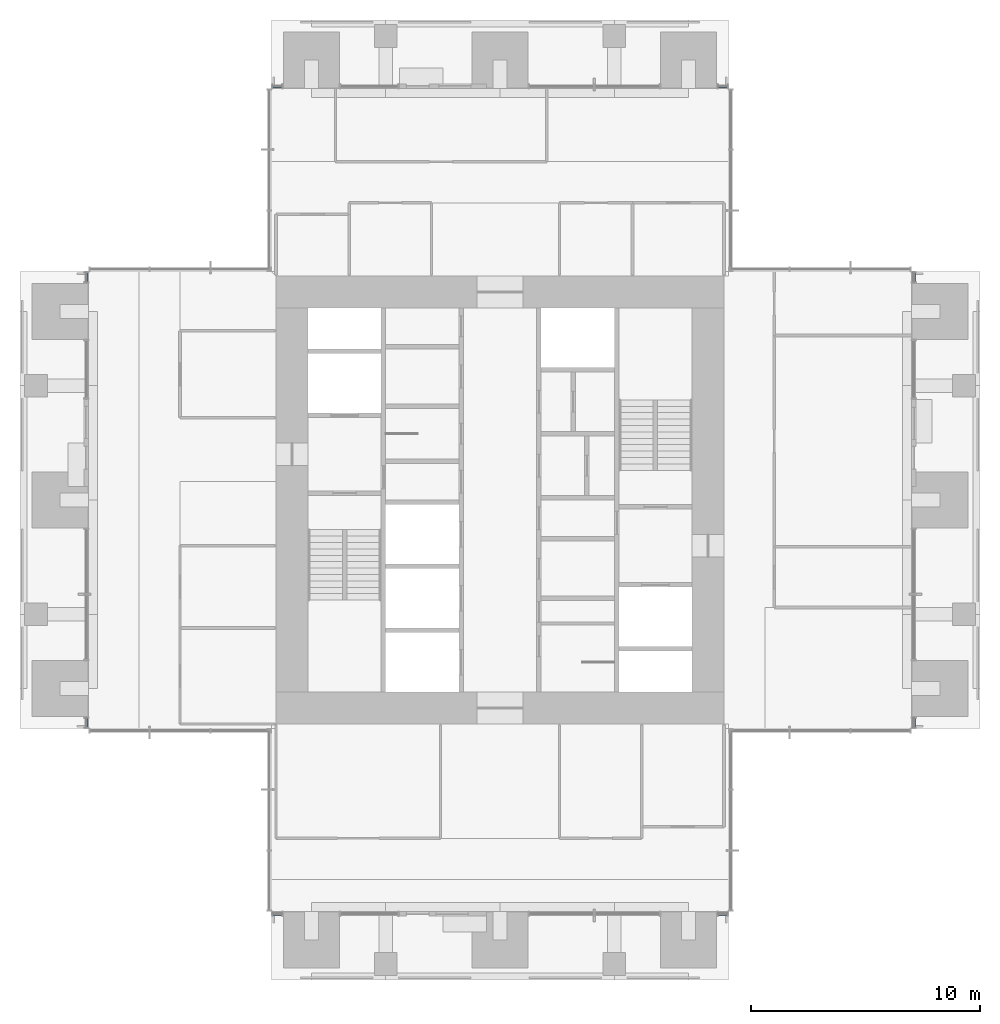
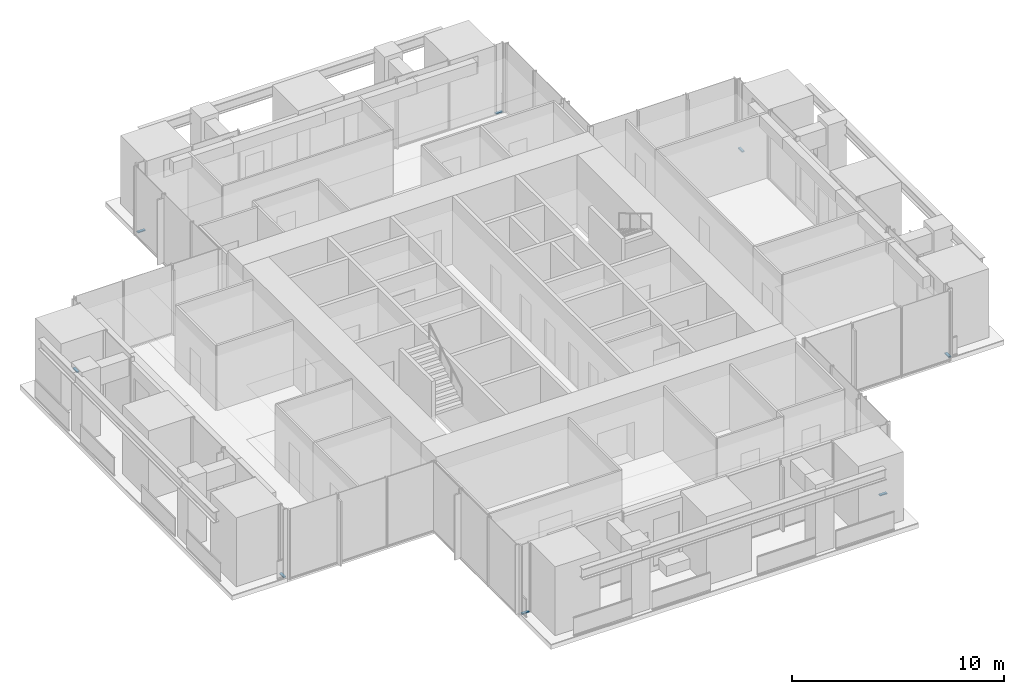
# One storey, part 6 of 17: 8 members, 8 elements without a shape of their own.
"""IFC4 building model written with IfcOpenShell, lengths in metres."""

from ifc_helpers import new_model, si_unit, direction, frame, origin, origin_2d, place, context, subcontext, project, spatial, rectangle, extrude, material, material_profile, profile_set, type_object, element, aggregate, save


model = new_model("IFC4")

# Units and contexts
model_context = context("Model", 3, precision=1e-05, world=origin(), true_north=direction((0.0, 1.0)))
body_context = subcontext(model_context, "Body", "Model", "MODEL_VIEW")
ifc_project = project(units=[si_unit("LENGTHUNIT", "METRE"), si_unit("AREAUNIT", "SQUARE_METRE"), si_unit("VOLUMEUNIT", "CUBIC_METRE"), si_unit("PLANEANGLEUNIT", "RADIAN"), si_unit("MASSUNIT", "GRAM", prefix="KILO")], contexts=[model_context])

# Site, building, storey
site_placement = place(None, origin())
site = spatial("IfcSite", under=ifc_project, at=site_placement, CompositionType="ELEMENT")
building_placement = place(site_placement, origin())
building = spatial("IfcBuilding", under=site, at=building_placement, Name="Svetlomir Tower", CompositionType="ELEMENT")
storey_placement = place(building_placement, frame((0.0, 0.0, 182.5)))
storey = spatial("IfcBuildingStorey", under=building, at=storey_placement, Name="L43", CompositionType="ELEMENT", Elevation=182.5)

# Curtain wall, member
ifc_material_1 = material(Name="Bronze anodised aluminium curtain wall", Category="aluminium")
curtain_wall_type = type_object("IfcCurtainWallType", Name="CURTAIN WALL CW1 TOWER OFFICE", PredefinedType="NOTDEFINED", material=ifc_material_1)
curtain_wall_1_placement = place(storey_placement, origin())
curtain_wall_1 = element("IfcCurtainWall", 1, at=curtain_wall_1_placement, inside=storey, type_object=curtain_wall_type, Name="Curtain wall CW1 L43", PredefinedType="NOTDEFINED")
ifc_material_2 = material(Name="Bronze anodised aluminium", Category="aluminium")
ifc_material_profile = material_profile(ifc_material_2, rectangle(XDim=0.139892578125, YDim=0.06494140625, at=origin_2d()), Name="AL 140x65")
ifc_profile_set = profile_set([ifc_material_profile], Name="Bronze anodised aluminium 6063-T6")
member_type = type_object("IfcMemberType", Name="CW1 TRANSOM 65x140", PredefinedType="USERDEFINED", material=ifc_profile_set)
member_1_placement = place(storey_placement, frame((11.06494140625, 2.89990234375, 0.032470703125), z_axis=(1.0, 0.0, 0.0), x_axis=(0.0, 1.0, 0.0)))
member_1 = element("IfcMember", 2, at=member_1_placement, type_object=member_type, Name="CW1 transom 1.1", ObjectType="TRANSOM", PredefinedType="USERDEFINED", context=body_context, shape_type="SweptSolid", body=[
    extrude(rectangle(XDim=0.139892578125, YDim=0.06494140625, at=origin_2d()), origin(), (0.0, 0.0, 1.0), 0.39501953125),
])
aggregate(curtain_wall_1, [member_1])

curtain_wall_2_placement = place(storey_placement, origin())
curtain_wall_2 = element("IfcCurtainWall", 3, at=curtain_wall_2_placement, inside=storey, type_object=curtain_wall_type, Name="Curtain wall CW1 L43", PredefinedType="NOTDEFINED")
member_2_placement = place(storey_placement, frame((30.5400390625, 2.89990234375, 0.032470703125), z_axis=(1.0, 0.0, 0.0), x_axis=(0.0, 1.0, 0.0)))
member_2 = element("IfcMember", 4, at=member_2_placement, type_object=member_type, Name="CW1 transom 1.1", ObjectType="TRANSOM", PredefinedType="USERDEFINED", context=body_context, shape_type="SweptSolid", body=[
    extrude(rectangle(XDim=0.139892578125, YDim=0.06494140625, at=origin_2d()), origin(), (0.0, 0.0, 1.0), 0.39501953125),
])
aggregate(curtain_wall_2, [member_2])

curtain_wall_3_placement = place(storey_placement, origin())
curtain_wall_3 = element("IfcCurtainWall", 5, at=curtain_wall_3_placement, inside=storey, type_object=curtain_wall_type, Name="Curtain wall CW1 L43", PredefinedType="NOTDEFINED")
member_3_placement = place(storey_placement, frame((39.10009765625, 11.06494140625, 0.032470703125), z_axis=(0.0, 1.0, 0.0), x_axis=(-1.0, 0.0, 0.0)))
member_3 = element("IfcMember", 6, at=member_3_placement, type_object=member_type, Name="CW1 transom 1.1", ObjectType="TRANSOM", PredefinedType="USERDEFINED", context=body_context, shape_type="SweptSolid", body=[
    extrude(rectangle(XDim=0.139892578125, YDim=0.06494140625, at=origin_2d()), origin(), (0.0, 0.0, 1.0), 0.39501953125),
])
aggregate(curtain_wall_3, [member_3])

curtain_wall_4_placement = place(storey_placement, origin())
curtain_wall_4 = element("IfcCurtainWall", 7, at=curtain_wall_4_placement, inside=storey, type_object=curtain_wall_type, Name="Curtain wall CW1 L43", PredefinedType="NOTDEFINED")
member_4_placement = place(storey_placement, frame((39.10009765625, 30.5400390625, 0.032470703125), z_axis=(0.0, 1.0, 0.0), x_axis=(-1.0, 0.0, 0.0)))
member_4 = element("IfcMember", 8, at=member_4_placement, type_object=member_type, Name="CW1 transom 1.1", ObjectType="TRANSOM", PredefinedType="USERDEFINED", context=body_context, shape_type="SweptSolid", body=[
    extrude(rectangle(XDim=0.139892578125, YDim=0.06494140625, at=origin_2d()), origin(), (0.0, 0.0, 1.0), 0.39501953125),
])
aggregate(curtain_wall_4, [member_4])

curtain_wall_5_placement = place(storey_placement, origin())
curtain_wall_5 = element("IfcCurtainWall", 9, at=curtain_wall_5_placement, inside=storey, type_object=curtain_wall_type, Name="Curtain wall CW1 L43", PredefinedType="NOTDEFINED")
member_5_placement = place(storey_placement, frame((30.93505859375, 39.10009765625, 0.032470703125), z_axis=(-1.0, 0.0, 0.0), x_axis=(0.0, -1.0, 0.0)))
member_5 = element("IfcMember", 10, at=member_5_placement, type_object=member_type, Name="CW1 transom 1.1", ObjectType="TRANSOM", PredefinedType="USERDEFINED", context=body_context, shape_type="SweptSolid", body=[
    extrude(rectangle(XDim=0.139892578125, YDim=0.06494140625, at=origin_2d()), origin(), (0.0, 0.0, 1.0), 0.39501953125),
])
aggregate(curtain_wall_5, [member_5])

curtain_wall_6_placement = place(storey_placement, origin())
curtain_wall_6 = element("IfcCurtainWall", 11, at=curtain_wall_6_placement, inside=storey, type_object=curtain_wall_type, Name="Curtain wall CW1 L43", PredefinedType="NOTDEFINED")
member_6_placement = place(storey_placement, frame((11.4599609375, 39.10009765625, 0.032470703125), z_axis=(-1.0, 0.0, 0.0), x_axis=(0.0, -1.0, 0.0)))
member_6 = element("IfcMember", 12, at=member_6_placement, type_object=member_type, Name="CW1 transom 1.1", ObjectType="TRANSOM", PredefinedType="USERDEFINED", context=body_context, shape_type="SweptSolid", body=[
    extrude(rectangle(XDim=0.139892578125, YDim=0.06494140625, at=origin_2d()), origin(), (0.0, 0.0, 1.0), 0.39501953125),
])
aggregate(curtain_wall_6, [member_6])

curtain_wall_7_placement = place(storey_placement, origin())
curtain_wall_7 = element("IfcCurtainWall", 13, at=curtain_wall_7_placement, inside=storey, type_object=curtain_wall_type, Name="Curtain wall CW1 L43", PredefinedType="NOTDEFINED")
member_7_placement = place(storey_placement, frame((2.89990234375, 30.93505859375, 0.032470703125), z_axis=(0.0, -1.0, 0.0), x_axis=(1.0, 0.0, 0.0)))
member_7 = element("IfcMember", 14, at=member_7_placement, type_object=member_type, Name="CW1 transom 1.1", ObjectType="TRANSOM", PredefinedType="USERDEFINED", context=body_context, shape_type="SweptSolid", body=[
    extrude(rectangle(XDim=0.139892578125, YDim=0.06494140625, at=origin_2d()), origin(), (0.0, 0.0, 1.0), 0.39501953125),
])
aggregate(curtain_wall_7, [member_7])

curtain_wall_8_placement = place(storey_placement, origin())
curtain_wall_8 = element("IfcCurtainWall", 15, at=curtain_wall_8_placement, inside=storey, type_object=curtain_wall_type, Name="Curtain wall CW1 L43", PredefinedType="NOTDEFINED")
member_8_placement = place(storey_placement, frame((2.89990234375, 11.4599609375, 0.032470703125), z_axis=(0.0, -1.0, 0.0), x_axis=(1.0, 0.0, 0.0)))
member_8 = element("IfcMember", 16, at=member_8_placement, type_object=member_type, Name="CW1 transom 1.1", ObjectType="TRANSOM", PredefinedType="USERDEFINED", context=body_context, shape_type="SweptSolid", body=[
    extrude(rectangle(XDim=0.139892578125, YDim=0.06494140625, at=origin_2d()), origin(), (0.0, 0.0, 1.0), 0.39501953125),
])
aggregate(curtain_wall_8, [member_8])

save(model, "model.ifc")
